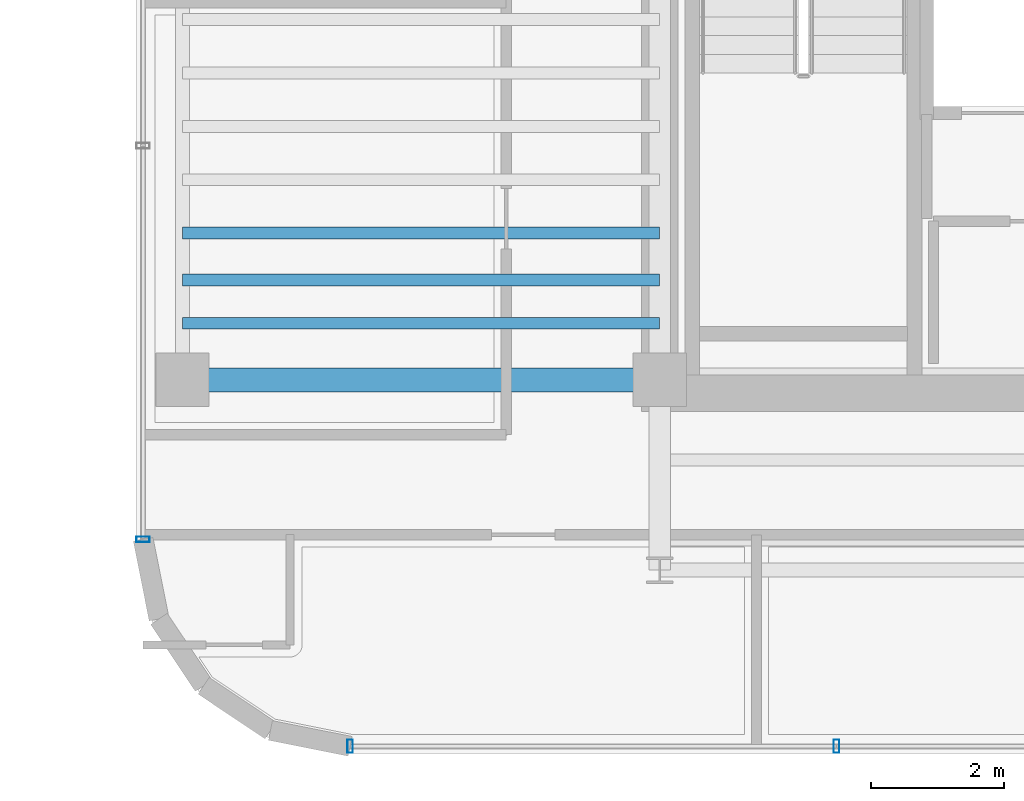
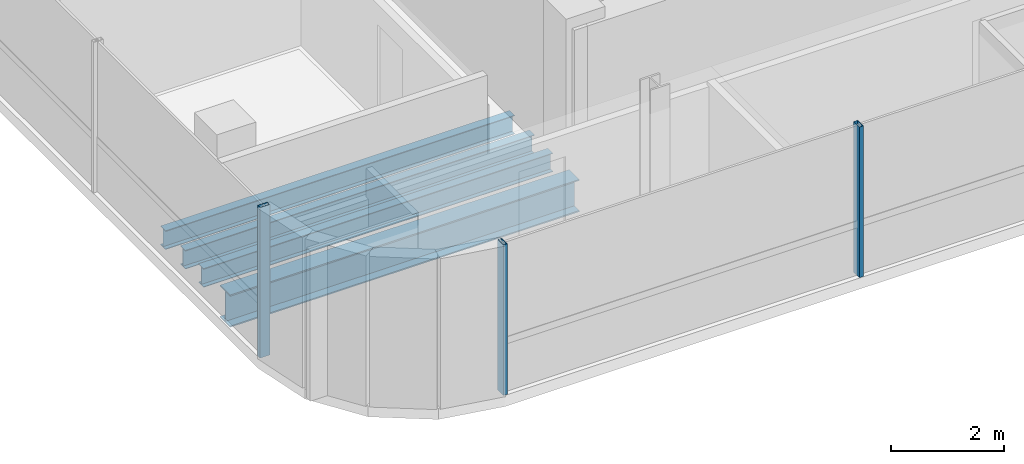
# One storey, part 2 of 21: 4 beams, 3 members, 2 elements without a shape of their own.
"""IFC4 building model written with IfcOpenShell, lengths in metres."""

from ifc_helpers import new_model, si_unit, direction, frame, origin, origin_2d, place, context, subcontext, project, spatial, hollow_rectangle, i_section, extrude, source, transform, mapped, material, material_profile, profile_set, type_object, element, aggregate, save


model = new_model("IFC4")

# Units and contexts
model_context = context("Model", 3, precision=1e-05, world=origin(), true_north=direction((0.0, 1.0)))
body_context = subcontext(model_context, "Body", "Model", "MODEL_VIEW")
ifc_project = project(units=[si_unit("LENGTHUNIT", "METRE"), si_unit("AREAUNIT", "SQUARE_METRE"), si_unit("VOLUMEUNIT", "CUBIC_METRE"), si_unit("PLANEANGLEUNIT", "RADIAN"), si_unit("MASSUNIT", "GRAM", prefix="KILO")], contexts=[model_context])

# Site, building, storey
site_placement = place(None, origin())
site = spatial("IfcSite", under=ifc_project, at=site_placement, CompositionType="ELEMENT")
building_placement = place(site_placement, origin())
building = spatial("IfcBuilding", under=site, at=building_placement, Name="Valdorenza Pilgrim Sanctuary Tower", CompositionType="ELEMENT")
storey_placement = place(building_placement, frame((0.0, 0.0, 254.5)))
storey = spatial("IfcBuildingStorey", under=building, at=storey_placement, Name="L66", CompositionType="ELEMENT", Elevation=254.5)

# Beams
ifc_material_1 = material(Name="Steel ASTM A992 Grade 50", Category="steel")
ifc_material_profile_1 = material_profile(ifc_material_1, i_section(OverallWidth=0.35595703125, OverallDepth=0.700927734375, WebThickness=0.016845703125, FlangeThickness=0.02734375, at=origin_2d()), Name="W27X161")
ifc_profile_set_1 = profile_set([ifc_material_profile_1], Name="Steel ASTM A992 Grade 50")
beam_type_1 = type_object("IfcBeamType", Name="STR-BM-GRD-W27", PredefinedType="BEAM", material=ifc_profile_set_1)
shared_shape_1 = source(origin(), body_context, "Body", "SweptSolid", [
    extrude(i_section(OverallWidth=0.35595703125, OverallDepth=0.700927734375, WebThickness=0.016845703125, FlangeThickness=0.02734375, at=origin_2d()), origin(), (0.0, 0.0, 1.0), 7.150146484375),
])
beam_placement = place(storey_placement, frame((-29.800048828125, -10.60009765625, -0.590576171875), z_axis=(1.0, 0.0, 0.0), x_axis=(0.0, 1.0, 0.0)))
element("IfcBeam", 1, at=beam_placement, inside=storey, type_object=beam_type_1, Name="L66 Floor Girder WA-XW-S1", PredefinedType="BEAM", context=body_context, shape_type="MappedRepresentation", body=[
    mapped(shared_shape_1, transform((0.0, 0.0, 0.0), x_axis=(1.0, 0.0, 0.0), y_axis=(0.0, 1.0, 0.0), z_axis=(0.0, 0.0, 1.0), scale=1.0)),
])
ifc_material_profile_2 = material_profile(ifc_material_1, i_section(OverallWidth=0.177978515625, OverallDepth=0.406005859375, WebThickness=0.0078125, FlangeThickness=0.0126953125, at=origin_2d()), Name="W16X40")
ifc_profile_set_2 = profile_set([ifc_material_profile_2], Name="Steel ASTM A992 Grade 50")
beam_type_2 = type_object("IfcBeamType", Name="STR-BM-JST-W16", PredefinedType="JOIST", material=ifc_profile_set_2)
shared_shape_2 = source(origin(), body_context, "Body", "SweptSolid", [
    extrude(i_section(OverallWidth=0.177978515625, OverallDepth=0.406005859375, WebThickness=0.0078125, FlangeThickness=0.0126953125, at=origin_2d()), origin(), (0.0, 0.0, 1.0), 7.150146484375),
])
for number, where, z_axis, x_axis, name in (
    (2, (-29.800048828125, -9.75, -0.443115234375), (1.0, 0.0, 0.0), (0.0, 1.0, 0.0), "L66 Composite Floor Joist JST-WA-1"),
    (3, (-29.800048828125, -9.10009765625, -0.443115234375), (1.0, 0.0, 0.0), (0.0, 1.0, 0.0), "L66 Composite Floor Joist JST-WA-2"),
    (4, (-29.800048828125, -8.39990234375, -0.443115234375), (1.0, 0.0, 0.0), (0.0, 1.0, 0.0), "L66 Composite Floor Joist JST-WA-3"),
):
    element("IfcBeam", number, at=place(storey_placement, frame(where, z_axis=z_axis, x_axis=x_axis)), inside=storey, type_object=beam_type_2, Name=name, PredefinedType="JOIST", context=body_context, shape_type="MappedRepresentation", body=[
        mapped(shared_shape_2, transform((0.0, 0.0, 0.0), x_axis=(1.0, 0.0, 0.0), y_axis=(0.0, 1.0, 0.0), z_axis=(0.0, 0.0, 1.0), scale=1.0)),
    ])

# Curtain wall, member
ifc_material_2 = material(Name="Curtain-wall IGU glazing", Category="glass")
curtain_wall_type = type_object("IfcCurtainWallType", Name="CW-SYS-02", PredefinedType="NOTDEFINED", material=ifc_material_2)
curtain_wall_1_placement = place(storey_placement, origin())
curtain_wall_1 = element("IfcCurtainWall", 5, at=curtain_wall_1_placement, inside=storey, type_object=curtain_wall_type, Name="L66 Curtain Wall CW-L66-1-1S1", PredefinedType="NOTDEFINED")
ifc_material_3 = material(Name="Anodised aluminium AW-6060", Category="aluminium")
ifc_material_profile_3 = material_profile(ifc_material_3, hollow_rectangle(XDim=0.0849609375, YDim=0.199951171875, WallThickness=0.0048828125, at=origin_2d()), Name="ALU-M 200x85x5")
ifc_profile_set_3 = profile_set([ifc_material_profile_3], Name="Anodised aluminium AW-6060")
member_type = type_object("IfcMemberType", Name="CW-MUL-02", PredefinedType="MULLION", material=ifc_profile_set_3)
shared_shape_3 = source(origin(), body_context, "Body", "SweptSolid", [
    extrude(hollow_rectangle(XDim=0.0849609375, YDim=0.199951171875, WallThickness=0.0048828125, at=origin_2d()), origin(), (0.0, 0.0, 1.0), 3.260009765625),
])
member_1_placement = place(storey_placement, frame((-30.389892578125, -12.9892578125, 0.0), z_axis=(0.0, 0.0, 1.0), x_axis=(0.0, 1.0, 0.0)))
member_1 = element("IfcMember", 6, at=member_1_placement, type_object=member_type, Name="CW-L66-1-1S1 Mullion 1", PredefinedType="MULLION", context=body_context, shape_type="MappedRepresentation", body=[
    mapped(shared_shape_3, transform((0.0, 0.0, 0.0), x_axis=(1.0, 0.0, 0.0), y_axis=(0.0, 1.0, 0.0), z_axis=(0.0, 0.0, 1.0), scale=1.0)),
])
aggregate(curtain_wall_1, [member_1])

# Curtain wall, members
curtain_wall_2_placement = place(storey_placement, origin())
curtain_wall_2 = element("IfcCurtainWall", 7, at=curtain_wall_2_placement, inside=storey, type_object=curtain_wall_type, Name="L66 Curtain Wall CW-L66-1-26", PredefinedType="NOTDEFINED")
member_2_placement = place(storey_placement, frame((-20.0, -16.090087890625, 0.0), z_axis=(0.0, 0.0, 1.0), x_axis=(-1.0, 0.0, 0.0)))
member_2 = element("IfcMember", 8, at=member_2_placement, type_object=member_type, Name="CW-L66-1-26 Mullion 2", PredefinedType="MULLION", context=body_context, shape_type="MappedRepresentation", body=[
    mapped(shared_shape_3, transform((0.0, 0.0, 0.0), x_axis=(1.0, 0.0, 0.0), y_axis=(0.0, 1.0, 0.0), z_axis=(0.0, 0.0, 1.0), scale=1.0)),
])
member_3_placement = place(storey_placement, frame((-27.289306640625, -16.090087890625, 0.0), z_axis=(0.0, 0.0, 1.0), x_axis=(-1.0, 0.0, 0.0)))
member_3 = element("IfcMember", 9, at=member_3_placement, type_object=member_type, Name="CW-L66-1-26 Mullion 3", PredefinedType="MULLION", context=body_context, shape_type="MappedRepresentation", body=[
    mapped(shared_shape_3, transform((0.0, 0.0, 0.0), x_axis=(1.0, 0.0, 0.0), y_axis=(0.0, 1.0, 0.0), z_axis=(0.0, 0.0, 1.0), scale=1.0)),
])
aggregate(curtain_wall_2, [member_2, member_3])

save(model, "model.ifc")
